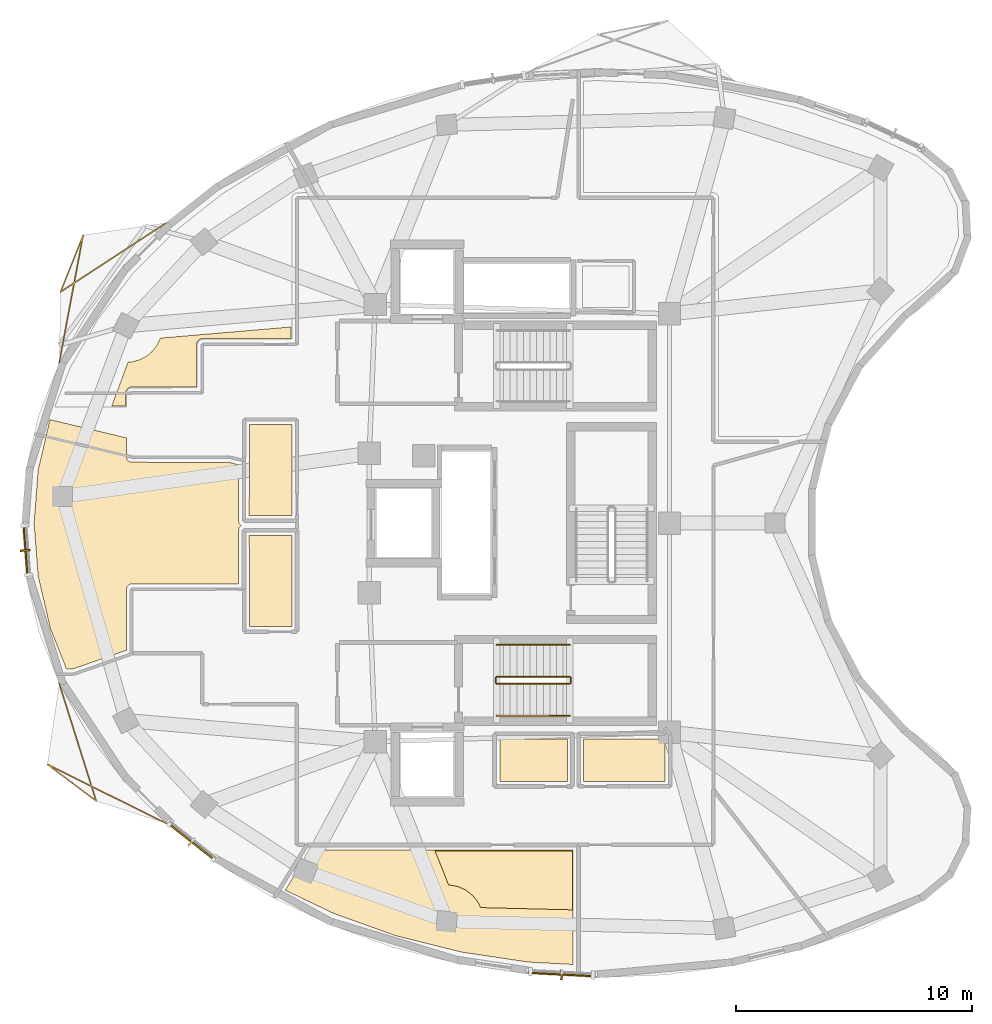
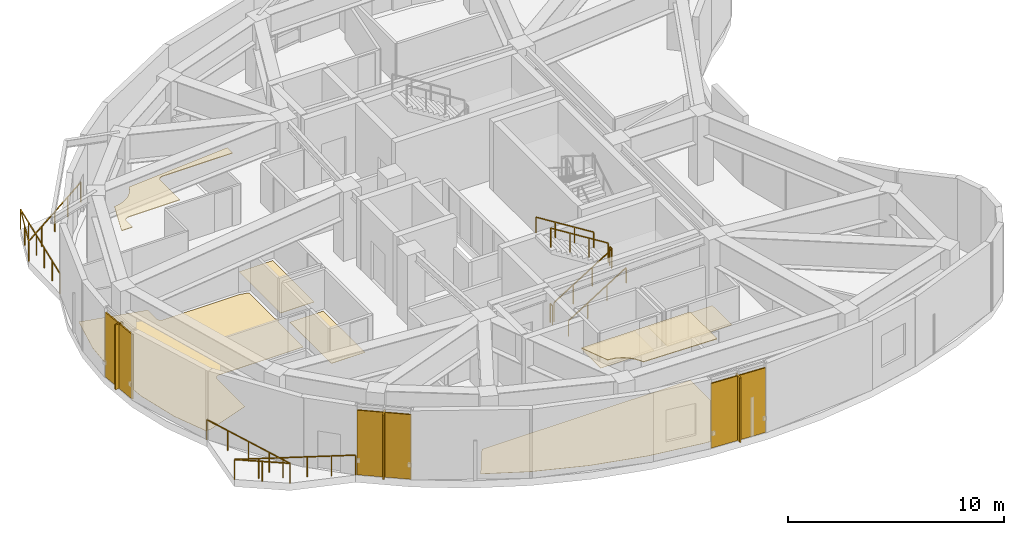
# One storey, part 10 of 12: 8 coverings, 8 railings, 6 shading devices.
"""IFC4 building model written with IfcOpenShell, lengths in metres."""

from ifc_helpers import new_model, si_unit, direction, frame, origin, origin_2d, place, context, subcontext, project, spatial, polyline, rectangle, outline, extrude, material, layer, layer_set, type_object, element, save


model = new_model("IFC4")

# Units and contexts
model_context = context("Model", 3, precision=1e-05, world=origin(), true_north=direction((0.0, 1.0)))
body_context = subcontext(model_context, "Body", "Model", "MODEL_VIEW")
ifc_project = project(units=[si_unit("LENGTHUNIT", "METRE"), si_unit("AREAUNIT", "SQUARE_METRE"), si_unit("VOLUMEUNIT", "CUBIC_METRE"), si_unit("PLANEANGLEUNIT", "RADIAN"), si_unit("MASSUNIT", "GRAM", prefix="KILO")], contexts=[model_context])

# Site, building, storey
site_placement = place(None, origin())
site = spatial("IfcSite", under=ifc_project, at=site_placement, CompositionType="ELEMENT")
building_placement = place(site_placement, origin())
building = spatial("IfcBuilding", under=site, at=building_placement, Name="Korentha Bioscience Tower", CompositionType="ELEMENT")
storey_placement = place(building_placement, frame((0.0, 0.0, 286.800048828125)))
storey = spatial("IfcBuildingStorey", under=building, at=storey_placement, Name="L66", CompositionType="ELEMENT", Elevation=286.800048828125)

# Covering
ifc_material_1 = material(Name="Vitrified Porcelain Tile", Category="ceramic")
ifc_layer_1 = layer(ifc_material_1, 0.014892578125, Name="Vitrified Porcelain Tile")
ifc_layer_set_1 = layer_set([ifc_layer_1], Name="Vitrified Porcelain Tile (FL-CER)")
covering_type_1 = type_object("IfcCoveringType", Name="Anti-Slip Ceramic Wet-Room Tile Flooring 15", PredefinedType="FLOORING", material=ifc_layer_set_1)
covering_1_placement = place(storey_placement, origin())
element("IfcCovering", 1, at=covering_1_placement, inside=storey, type_object=covering_type_1, Name="L66 Reclaimed Bank-2 Accessible Staff WC Floor Finish", PredefinedType="FLOORING", context=body_context, shape_type="SweptSolid", body=[
    extrude(outline(polyline([(19.77001953125, 27.320068359375), (19.780029296875, 31.169921875), (21.570068359375, 31.169921875), (21.570068359375, 27.320068359375), (19.77001953125, 27.320068359375)])), origin(), (0.0, 0.0, 1.0), 0.014892578125),
])

# Railings
ifc_material_2 = material(Name="Stainless Steel 304", Category="steel")
railing_type_1 = type_object("IfcRailingType", Name="Brushed Stainless Stair Handrail 900", PredefinedType="HANDRAIL", material=ifc_material_2)
railing_1_placement = place(storey_placement, frame((30.25, 18.85009765625, 0.175048828125)))
element("IfcRailing", 2, at=railing_1_placement, inside=storey, type_object=railing_type_1, Name="L66 ST-2 stair handrail 1", PredefinedType="HANDRAIL", context=body_context, shape_type="SweptSolid", body=[
    extrude(rectangle(XDim=0.048095703125, YDim=0.048095703125, at=origin_2d()), frame((0.0, 0.0, 0.8759765625), z_axis=(0.848028513186, 0.0, 0.529950602248), x_axis=(0.0, 1.0, 0.0)), (0.0, 0.0, 1.0), 3.632080078125),
    extrude(rectangle(XDim=0.0419921875, YDim=0.0419921875, at=origin_2d()), origin(), (0.0, 0.0, 1.0), 0.851806640625),
    extrude(rectangle(XDim=0.0419921875, YDim=0.0419921875, at=origin_2d()), frame((1.026611328125, 0.0, 0.6416015625)), (0.0, 0.0, 1.0), 0.851806640625),
    extrude(rectangle(XDim=0.0419921875, YDim=0.0419921875, at=origin_2d()), frame((2.053466796875, 0.0, 1.283203125)), (0.0, 0.0, 1.0), 0.851806640625),
    extrude(rectangle(XDim=0.0419921875, YDim=0.0419921875, at=origin_2d()), frame((3.080078125, 0.0, 1.9248046875)), (0.0, 0.0, 1.0), 0.851806640625),
])
railing_2_placement = place(storey_placement, frame((33.330078125, 21.85009765625, 2.27490234375)))
element("IfcRailing", 3, at=railing_2_placement, inside=storey, type_object=railing_type_1, Name="L66 ST-2 stair handrail 2", PredefinedType="HANDRAIL", context=body_context, shape_type="SweptSolid", body=[
    extrude(rectangle(XDim=0.048095703125, YDim=0.048095703125, at=origin_2d()), frame((0.0, 0.0, 0.8759765625), z_axis=(-0.847998304005, 0.0, 0.529998940003), x_axis=(0.0, -1.0, 0.0)), (0.0, 0.0, 1.0), 3.632080078125),
    extrude(rectangle(XDim=0.0419921875, YDim=0.0419921875, at=origin_2d()), origin(), (0.0, 0.0, 1.0), 0.851806640625),
    extrude(rectangle(XDim=0.0419921875, YDim=0.0419921875, at=origin_2d()), frame((-1.026611328125, 0.0, 0.6416015625)), (0.0, 0.0, 1.0), 0.851806640625),
    extrude(rectangle(XDim=0.0419921875, YDim=0.0419921875, at=origin_2d()), frame((-2.053466796875, 0.0, 1.283447265625)), (0.0, 0.0, 1.0), 0.851806640625),
    extrude(rectangle(XDim=0.0419921875, YDim=0.0419921875, at=origin_2d()), frame((-3.080078125, 0.0, 1.925048828125)), (0.0, 0.0, 1.0), 0.851806640625),
])
ifc_material_3 = material(Name="Laminated Tempered Safety Glass", Category="glass")
railing_type_2 = type_object("IfcRailingType", Name="Laminated Glass Balcony Guardrail 1150", PredefinedType="BALUSTRADE", material=ifc_material_3)
railing_3_placement = place(storey_placement, frame((16.258056640625, 39.702880859375, 0.0)))
element("IfcRailing", 4, at=railing_3_placement, inside=storey, type_object=railing_type_2, Name="L66 Balcony Guardrail 02", PredefinedType="BALUSTRADE", context=body_context, shape_type="SweptSolid", body=[
    extrude(rectangle(XDim=0.048095703125, YDim=0.048095703125, at=origin_2d()), frame((0.0, 0.0, 1.1259765625), z_axis=(-0.837082251142, -0.547077055654, 0.0), x_axis=(0.547077055654, -0.837082251142, 0.0)), (0.0, 0.0, 1.0), 5.344970703125),
    extrude(rectangle(XDim=0.048095703125, YDim=0.048095703125, at=origin_2d()), frame((-4.47412109375, -2.924072265625, 1.1259765625), z_axis=(0.370350589188, 0.928892050288, 0.0), x_axis=(-0.928892050288, 0.370350589188, 0.0)), (0.0, 0.0, 1.0), 2.5908203125),
    extrude(rectangle(XDim=0.048095703125, YDim=0.048095703125, at=origin_2d()), frame((-3.5146484375, -0.517578125, 1.1259765625), z_axis=(-0.183907296618, -0.982943592609, 0.0), x_axis=(0.982943592609, -0.183907296618, 0.0)), (0.0, 0.0, 1.0), 5.49072265625),
    extrude(rectangle(XDim=0.0419921875, YDim=0.0419921875, at=origin_2d()), origin(), (0.0, 0.0, 1.0), 1.101806640625),
    extrude(rectangle(XDim=0.0419921875, YDim=0.0419921875, at=origin_2d()), frame((-1.11865234375, -0.73095703125, 0.0)), (0.0, 0.0, 1.0), 1.101806640625),
    extrude(rectangle(XDim=0.0419921875, YDim=0.0419921875, at=origin_2d()), frame((-2.237060546875, -1.4619140625, 0.0)), (0.0, 0.0, 1.0), 1.101806640625),
    extrude(rectangle(XDim=0.0419921875, YDim=0.0419921875, at=origin_2d()), frame((-3.35546875, -2.193115234375, 0.0)), (0.0, 0.0, 1.0), 1.101806640625),
    extrude(rectangle(XDim=0.0419921875, YDim=0.0419921875, at=origin_2d()), frame((-4.47412109375, -2.924072265625, 0.0)), (0.0, 0.0, 1.0), 1.101806640625),
    extrude(rectangle(XDim=0.0419921875, YDim=0.0419921875, at=origin_2d()), frame((-3.994384765625, -1.720703125, 0.0)), (0.0, 0.0, 1.0), 1.101806640625),
    extrude(rectangle(XDim=0.0419921875, YDim=0.0419921875, at=origin_2d()), frame((-3.5146484375, -0.517578125, 0.0)), (0.0, 0.0, 1.0), 1.101806640625),
    extrude(rectangle(XDim=0.0419921875, YDim=0.0419921875, at=origin_2d()), frame((-3.716552734375, -1.596923828125, 0.0)), (0.0, 0.0, 1.0), 1.101806640625),
    extrude(rectangle(XDim=0.0419921875, YDim=0.0419921875, at=origin_2d()), frame((-3.91845703125, -2.67626953125, 0.0)), (0.0, 0.0, 1.0), 1.101806640625),
    extrude(rectangle(XDim=0.0419921875, YDim=0.0419921875, at=origin_2d()), frame((-4.12060546875, -3.755859375, 0.0)), (0.0, 0.0, 1.0), 1.101806640625),
    extrude(rectangle(XDim=0.0419921875, YDim=0.0419921875, at=origin_2d()), frame((-4.322509765625, -4.835205078125, 0.0)), (0.0, 0.0, 1.0), 1.101806640625),
    extrude(rectangle(XDim=0.0419921875, YDim=0.0419921875, at=origin_2d()), frame((-4.5244140625, -5.91455078125, 0.0)), (0.0, 0.0, 1.0), 1.101806640625),
])
railing_4_placement = place(storey_placement, frame((11.733642578125, 20.211669921875, 0.0)))
element("IfcRailing", 5, at=railing_4_placement, inside=storey, type_object=railing_type_2, Name="L66 Balcony Guardrail 03", PredefinedType="BALUSTRADE", context=body_context, shape_type="SweptSolid", body=[
    extrude(rectangle(XDim=0.048095703125, YDim=0.048095703125, at=origin_2d()), frame((0.0, 0.0, 1.1259765625), z_axis=(0.300375839052, -0.953820924133, 0.0), x_axis=(0.953820924133, 0.300375839052, 0.0)), (0.0, 0.0, 1.0), 5.21240234375),
    extrude(rectangle(XDim=0.048095703125, YDim=0.048095703125, at=origin_2d()), frame((1.565673828125, -4.9716796875, 1.1259765625), z_axis=(-0.799581403434, 0.600557723522, 0.0), x_axis=(-0.600557723522, -0.799581403434, 0.0)), (0.0, 0.0, 1.0), 2.5908203125),
    extrude(rectangle(XDim=0.048095703125, YDim=0.048095703125, at=origin_2d()), frame((-0.505859375, -3.415771484375, 1.1259765625), z_axis=(0.895589065714, -0.444882260124, 0.0), x_axis=(0.444882260124, 0.895589065714, 0.0)), (0.0, 0.0, 1.0), 5.61669921875),
    extrude(rectangle(XDim=0.0419921875, YDim=0.0419921875, at=origin_2d()), origin(), (0.0, 0.0, 1.0), 1.101806640625),
    extrude(rectangle(XDim=0.0419921875, YDim=0.0419921875, at=origin_2d()), frame((0.391357421875, -1.242919921875, 0.0)), (0.0, 0.0, 1.0), 1.101806640625),
    extrude(rectangle(XDim=0.0419921875, YDim=0.0419921875, at=origin_2d()), frame((0.78271484375, -2.48583984375, 0.0)), (0.0, 0.0, 1.0), 1.101806640625),
    extrude(rectangle(XDim=0.0419921875, YDim=0.0419921875, at=origin_2d()), frame((1.17431640625, -3.728759765625, 0.0)), (0.0, 0.0, 1.0), 1.101806640625),
    extrude(rectangle(XDim=0.0419921875, YDim=0.0419921875, at=origin_2d()), frame((1.565673828125, -4.9716796875, 0.0)), (0.0, 0.0, 1.0), 1.101806640625),
    extrude(rectangle(XDim=0.0419921875, YDim=0.0419921875, at=origin_2d()), frame((0.52978515625, -4.19384765625, 0.0)), (0.0, 0.0, 1.0), 1.101806640625),
    extrude(rectangle(XDim=0.0419921875, YDim=0.0419921875, at=origin_2d()), frame((-0.505859375, -3.415771484375, 0.0)), (0.0, 0.0, 1.0), 1.101806640625),
    extrude(rectangle(XDim=0.0419921875, YDim=0.0419921875, at=origin_2d()), frame((0.500244140625, -3.91552734375, 0.0)), (0.0, 0.0, 1.0), 1.101806640625),
    extrude(rectangle(XDim=0.0419921875, YDim=0.0419921875, at=origin_2d()), frame((1.50634765625, -4.415283203125, 0.0)), (0.0, 0.0, 1.0), 1.101806640625),
    extrude(rectangle(XDim=0.0419921875, YDim=0.0419921875, at=origin_2d()), frame((2.51220703125, -4.9150390625, 0.0)), (0.0, 0.0, 1.0), 1.101806640625),
    extrude(rectangle(XDim=0.0419921875, YDim=0.0419921875, at=origin_2d()), frame((3.518310546875, -5.414794921875, 0.0)), (0.0, 0.0, 1.0), 1.101806640625),
    extrude(rectangle(XDim=0.0419921875, YDim=0.0419921875, at=origin_2d()), frame((4.5244140625, -5.91455078125, 0.0)), (0.0, 0.0, 1.0), 1.101806640625),
])

# Coverings
ifc_material_4 = material(Name="Antimicrobial Mineral Fibre Board", Category="gypsum")
ifc_layer_2 = layer(ifc_material_4, 0.034912109375, Name="Antimicrobial Mineral Fibre Board")
ifc_layer_set_2 = layer_set([ifc_layer_2], Name="Antimicrobial Mineral Fibre Board (CL-MF35)")
covering_type_2 = type_object("IfcCoveringType", Name="Mineral-Fibre Cleanroom Suspended Ceiling 35", PredefinedType="CEILING", material=ifc_layer_set_2)
covering_2_placement = place(storey_placement, frame((0.0, 0.0, 3.864990234375)))
element("IfcCovering", 6, at=covering_2_placement, inside=storey, type_object=covering_type_2, Name="L66 Biospecimen Archive Store 03 Acoustic Ceiling", PredefinedType="CEILING", context=body_context, shape_type="SweptSolid", body=[
    extrude(outline(polyline([(33.447998046875, 10.64013671875), (29.560791015625, 10.73583984375), (29.492919921875, 10.8818359375), (29.323974609375, 11.134521484375), (29.2216796875, 11.2470703125), (28.98681640625, 11.43994140625), (28.8564453125, 11.51806640625), (28.57568359375, 11.634521484375), (28.204345703125, 11.697265625), (27.631103515625, 13.13720703125), (33.447998046875, 13.139892578125), (33.447998046875, 10.64013671875)])), origin(), (0.0, 0.0, 1.0), 0.034912109375),
])
covering_3_placement = place(storey_placement, frame((0.0, 0.0, 3.864990234375)))
element("IfcCovering", 7, at=covering_3_placement, inside=storey, type_object=covering_type_2, Name="L66 Clinical Trials Data Office 09 Acoustic Ceiling", PredefinedType="CEILING", context=body_context, shape_type="SweptSolid", body=[
    extrude(outline(polyline([(17.800048828125, 34.81005859375), (17.7119140625, 34.794677734375), (17.625732421875, 34.742919921875), (17.565185546875, 34.66162109375), (17.542724609375, 34.587646484375), (17.5400390625, 32.760009765625), (14.7373046875, 32.752197265625), (14.625, 32.6923828125), (14.547607421875, 32.562744140625), (14.5400390625, 31.951904296875), (13.95361328125, 31.951904296875), (14.643310546875, 33.805419921875), (14.859375, 33.830810546875), (15.150146484375, 33.919189453125), (15.418212890625, 34.062255859375), (15.540283203125, 34.15283203125), (15.653076171875, 34.255126953125), (15.845703125, 34.489990234375), (16.01416015625, 34.827880859375), (21.5400390625, 35.299072265625), (21.5400390625, 34.81005859375), (17.800048828125, 34.81005859375)])), origin(), (0.0, 0.0, 1.0), 0.034912109375),
])

# Railings
ifc_material_5 = material(Name="Painted Steel S275", Category="steel")
railing_type_3 = type_object("IfcRailingType", Name="Painted Steel Stair Well Guardrail 1100", PredefinedType="GUARDRAIL", material=ifc_material_5)
railing_5_placement = place(storey_placement, frame((30.25, 20.199951171875, 0.175048828125)))
element("IfcRailing", 8, at=railing_5_placement, inside=storey, type_object=railing_type_3, Name="L66 ST-2 stair guard 1", PredefinedType="GUARDRAIL", context=body_context, shape_type="SweptSolid", body=[
    extrude(rectangle(XDim=0.048095703125, YDim=0.048095703125, at=origin_2d()), frame((0.0, 0.0, 1.076171875), z_axis=(0.848028513186, 0.0, 0.529950602248), x_axis=(0.0, 1.0, 0.0)), (0.0, 0.0, 1.0), 3.632080078125),
    extrude(rectangle(XDim=0.0419921875, YDim=0.0419921875, at=origin_2d()), origin(), (0.0, 0.0, 1.0), 1.052001953125),
    extrude(rectangle(XDim=0.0419921875, YDim=0.0419921875, at=origin_2d()), frame((1.026611328125, 0.0, 0.6416015625)), (0.0, 0.0, 1.0), 1.052001953125),
    extrude(rectangle(XDim=0.0419921875, YDim=0.0419921875, at=origin_2d()), frame((2.053466796875, 0.0, 1.283203125)), (0.0, 0.0, 1.0), 1.052001953125),
    extrude(rectangle(XDim=0.0419921875, YDim=0.0419921875, at=origin_2d()), frame((3.080078125, 0.0, 1.9248046875)), (0.0, 0.0, 1.0), 1.052001953125),
])
railing_6_placement = place(storey_placement, frame((33.3798828125, 20.25, 2.099853515625)))
element("IfcRailing", 9, at=railing_6_placement, inside=storey, type_object=railing_type_3, Name="L66 ST-2 stair guard 2", PredefinedType="GUARDRAIL", context=body_context, shape_type="SweptSolid", body=[
    extrude(rectangle(XDim=0.048095703125, YDim=0.048095703125, at=origin_2d()), frame((0.0, 0.0, 1.076171875), z_axis=(0.0, 1.0, 0.0), x_axis=(-1.0, 0.0, 0.0)), (0.0, 0.0, 1.0), 0.199951171875),
    extrude(rectangle(XDim=0.0419921875, YDim=0.0419921875, at=origin_2d()), origin(), (0.0, 0.0, 1.0), 1.052001953125),
    extrude(rectangle(XDim=0.0419921875, YDim=0.0419921875, at=origin_2d()), frame((0.0, 0.199951171875, 0.0)), (0.0, 0.0, 1.0), 1.052001953125),
])
railing_7_placement = place(storey_placement, frame((33.330078125, 20.5, 2.27490234375)))
element("IfcRailing", 10, at=railing_7_placement, inside=storey, type_object=railing_type_3, Name="L66 ST-2 stair guard 3", PredefinedType="GUARDRAIL", context=body_context, shape_type="SweptSolid", body=[
    extrude(rectangle(XDim=0.048095703125, YDim=0.048095703125, at=origin_2d()), frame((0.0, 0.0, 1.076171875), z_axis=(-0.847998304005, 0.0, 0.529998940003), x_axis=(0.0, -1.0, 0.0)), (0.0, 0.0, 1.0), 3.632080078125),
    extrude(rectangle(XDim=0.0419921875, YDim=0.0419921875, at=origin_2d()), origin(), (0.0, 0.0, 1.0), 1.052001953125),
    extrude(rectangle(XDim=0.0419921875, YDim=0.0419921875, at=origin_2d()), frame((-1.026611328125, 0.0, 0.6416015625)), (0.0, 0.0, 1.0), 1.052001953125),
    extrude(rectangle(XDim=0.0419921875, YDim=0.0419921875, at=origin_2d()), frame((-2.053466796875, 0.0, 1.283447265625)), (0.0, 0.0, 1.0), 1.052001953125),
    extrude(rectangle(XDim=0.0419921875, YDim=0.0419921875, at=origin_2d()), frame((-3.080078125, 0.0, 1.925048828125)), (0.0, 0.0, 1.0), 1.052001953125),
])
railing_8_placement = place(storey_placement, frame((30.199951171875, 20.25, 0.0)))
element("IfcRailing", 11, at=railing_8_placement, inside=storey, type_object=railing_type_3, Name="L66 ST-2 stair guard 4", PredefinedType="GUARDRAIL", context=body_context, shape_type="SweptSolid", body=[
    extrude(rectangle(XDim=0.048095703125, YDim=0.048095703125, at=origin_2d()), frame((0.0, 0.0, 1.076171875), z_axis=(0.0, 1.0, 0.0), x_axis=(-1.0, 0.0, 0.0)), (0.0, 0.0, 1.0), 0.199951171875),
    extrude(rectangle(XDim=0.0419921875, YDim=0.0419921875, at=origin_2d()), origin(), (0.0, 0.0, 1.0), 1.052001953125),
    extrude(rectangle(XDim=0.0419921875, YDim=0.0419921875, at=origin_2d()), frame((0.0, 0.199951171875, 0.0)), (0.0, 0.0, 1.0), 1.052001953125),
])

# Shading devices
ifc_material_6 = material(Name="Perforated Stone-Ceramic Composite", Category="masonry")
ifc_layer_3 = layer(ifc_material_6, 0.06494140625, Name="Perforated Stone-Ceramic Composite")
ifc_layer_set_3 = layer_set([ifc_layer_3], Name="Perforated Stone-Ceramic Composite (CS-01)")
shading_device_type_1 = type_object("IfcShadingDeviceType", Name="Perforated Stone-Ceramic Solar Screen Panel 65", PredefinedType="USERDEFINED", material=ifc_layer_set_3)
shading_device_1_placement = place(storey_placement, frame((10.30615234375, 25.85107421875, 0.0), z_axis=(0.0, 0.0, 1.0), x_axis=(0.076447323916, -0.997073621487, 0.0)))
element("IfcShadingDevice", 12, at=shading_device_1_placement, inside=storey, type_object=shading_device_type_1, Name="CW-L66-19 Perforated Stone-Ceramic Solar Screen", ObjectType="SCREEN", PredefinedType="USERDEFINED", context=body_context, shape_type="SweptSolid", body=[
    extrude(rectangle(XDim=2.2138671875, YDim=0.06494140625, at=origin_2d()), origin(), (0.0, 0.0, 1.0), 3.64990234375),
])
shading_device_2_placement = place(storey_placement, frame((17.331298828125, 13.523681640625, 0.0), z_axis=(0.0, 0.0, 1.0), x_axis=(0.78407560827, -0.620665320858, 0.0)))
element("IfcShadingDevice", 13, at=shading_device_2_placement, inside=storey, type_object=shading_device_type_1, Name="CW-L66-25 Perforated Stone-Ceramic Solar Screen", ObjectType="SCREEN", PredefinedType="USERDEFINED", context=body_context, shape_type="SweptSolid", body=[
    extrude(rectangle(XDim=2.543212890625, YDim=0.06494140625, at=origin_2d()), origin(), (0.0, 0.0, 1.0), 3.64990234375),
])
shading_device_3_placement = place(storey_placement, frame((32.989501953125, 7.90478515625, 0.0), z_axis=(0.0, 0.0, 1.0), x_axis=(0.998579324855, -0.053285382345, 0.0)))
element("IfcShadingDevice", 14, at=shading_device_3_placement, inside=storey, type_object=shading_device_type_1, Name="CW-L66-31 Perforated Stone-Ceramic Solar Screen", ObjectType="SCREEN", PredefinedType="USERDEFINED", context=body_context, shape_type="SweptSolid", body=[
    extrude(rectangle(XDim=2.839599609375, YDim=0.06494140625, at=origin_2d()), origin(), (0.0, 0.0, 1.0), 3.64990234375),
])

# Coverings
ifc_material_7 = material(Name="Chemical-Resistant Epoxy Resin", Category="polymer")
ifc_layer_4 = layer(ifc_material_7, 0.011962890625, Name="Chemical-Resistant Epoxy Resin")
ifc_layer_set_4 = layer_set([ifc_layer_4], Name="Chemical-Resistant Epoxy Resin (FL-EPX)")
covering_type_3 = type_object("IfcCoveringType", Name="Seamless Epoxy Laboratory Flooring 12", PredefinedType="FLOORING", material=ifc_layer_set_4)
covering_4_placement = place(storey_placement, origin())
element("IfcCovering", 15, at=covering_4_placement, inside=storey, type_object=covering_type_3, Name="L66 Core Instrumentation and Gas Store Floor Finish", PredefinedType="FLOORING", context=body_context, shape_type="SweptSolid", body=[
    extrude(outline(polyline([(30.3701171875, 16.080078125), (30.3701171875, 17.8701171875), (33.22998046875, 17.8701171875), (33.22998046875, 16.080078125), (30.3701171875, 16.080078125)])), origin(), (0.0, 0.0, 1.0), 0.011962890625),
])
covering_5_placement = place(storey_placement, origin())
element("IfcCovering", 16, at=covering_5_placement, inside=storey, type_object=covering_type_3, Name="L66 Reclaimed Bank-2 Electrical Switchgear Store Floor Finish", PredefinedType="FLOORING", context=body_context, shape_type="SweptSolid", body=[
    extrude(outline(polyline([(21.570068359375, 22.6298828125), (19.780029296875, 22.6298828125), (19.77099609375, 26.47998046875), (21.570068359375, 26.47998046875), (21.570068359375, 22.6298828125)])), origin(), (0.0, 0.0, 1.0), 0.011962890625),
])
covering_6_placement = place(storey_placement, origin())
element("IfcCovering", 17, at=covering_6_placement, inside=storey, type_object=covering_type_3, Name="L66 Research Colloquium Seminar Room 01 Floor Finish", PredefinedType="FLOORING", context=body_context, shape_type="SweptSolid", body=[
    extrude(outline(polyline([(10.66943359375, 27.0), (10.84033203125, 29.2294921875), (11.339599609375, 31.380126953125), (14.570068359375, 30.60791015625), (14.572509765625, 29.765869140625), (14.6298828125, 29.645263671875), (14.74462890625, 29.576904296875), (18.910888671875, 29.570068359375), (19.320068359375, 29.47216796875), (19.3203125, 27.089111328125), (19.35302734375, 26.981201171875), (19.436767578125, 26.89990234375), (19.35302734375, 26.818603515625), (19.3203125, 26.710693359375), (19.320068359375, 24.429931640625), (14.800048828125, 24.429931640625), (14.701171875, 24.40771484375), (14.60302734375, 24.318603515625), (14.5703125, 24.210693359375), (14.570068359375, 21.621826171875), (12.28369140625, 20.822021484375), (12.041015625, 20.822021484375), (11.350830078125, 22.5712890625), (10.84033203125, 24.7705078125), (10.66943359375, 27.0)])), origin(), (0.0, 0.0, 1.0), 0.011962890625),
])
covering_7_placement = place(storey_placement, origin())
element("IfcCovering", 18, at=covering_7_placement, inside=storey, type_object=covering_type_3, Name="L66 Biospecimen Archive Store 03 Floor Finish", PredefinedType="FLOORING", context=body_context, shape_type="SweptSolid", body=[
    extrude(outline(polyline([(25.97314453125, 9.54541015625), (23.345703125, 10.488525390625), (21.296875, 11.472412109375), (22.341796875, 13.164794921875), (33.47802734375, 13.169921875), (33.47802734375, 8.329345703125), (31.570068359375, 8.431396484375), (28.72802734375, 8.856201171875), (25.97314453125, 9.54541015625)])), origin(), (0.0, 0.0, 1.0), 0.011962890625),
])
covering_8_placement = place(storey_placement, origin())
element("IfcCovering", 19, at=covering_8_placement, inside=storey, type_object=covering_type_3, Name="L66 Neurobiology Electrophysiology Lab 05 Floor Finish", PredefinedType="FLOORING", context=body_context, shape_type="SweptSolid", body=[
    extrude(outline(polyline([(37.3701171875, 16.080078125), (33.922119140625, 16.080078125), (33.922119140625, 17.8701171875), (37.3701171875, 17.87109375), (37.3701171875, 16.080078125)])), origin(), (0.0, 0.0, 1.0), 0.011962890625),
])

# Shading devices
ifc_material_8 = material(Name="Honed Travertine Limestone", Category="masonry")
ifc_layer_5 = layer(ifc_material_8, 0.080078125, Name="Honed Travertine Limestone")
ifc_layer_set_5 = layer_set([ifc_layer_5], Name="Honed Travertine Limestone (CS-02)")
shading_device_type_2 = type_object("IfcShadingDeviceType", Name="Vertical Honed Limestone Sunshade Fin 80x420", PredefinedType="USERDEFINED", material=ifc_layer_set_5)
for number, where, z_axis, x_axis, name in (
    (20, (10.286376953125, 25.849609375, 0.0), (0.0, 0.0, 1.0), (0.076447323916, -0.997073621487, 0.0), "CW-L66-19 Limestone Sunshade Fin"),
    (21, (17.319091796875, 13.508056640625, 0.0), (0.0, 0.0, 1.0), (0.78407560827, -0.620665320858, 0.0), "CW-L66-25 Limestone Sunshade Fin"),
    (22, (32.988525390625, 7.885009765625, 0.0), (0.0, 0.0, 1.0), (0.998579324855, -0.053285382345, 0.0), "CW-L66-31 Limestone Sunshade Fin"),
):
    element("IfcShadingDevice", number, at=place(storey_placement, frame(where, z_axis=z_axis, x_axis=x_axis)), inside=storey, type_object=shading_device_type_2, Name=name, ObjectType="SCREEN", PredefinedType="USERDEFINED", context=body_context, shape_type="SweptSolid", body=[
        extrude(rectangle(XDim=0.080078125, YDim=0.419921875, at=origin_2d()), origin(), (0.0, 0.0, 1.0), 3.64990234375),
    ])

save(model, "model.ifc")
